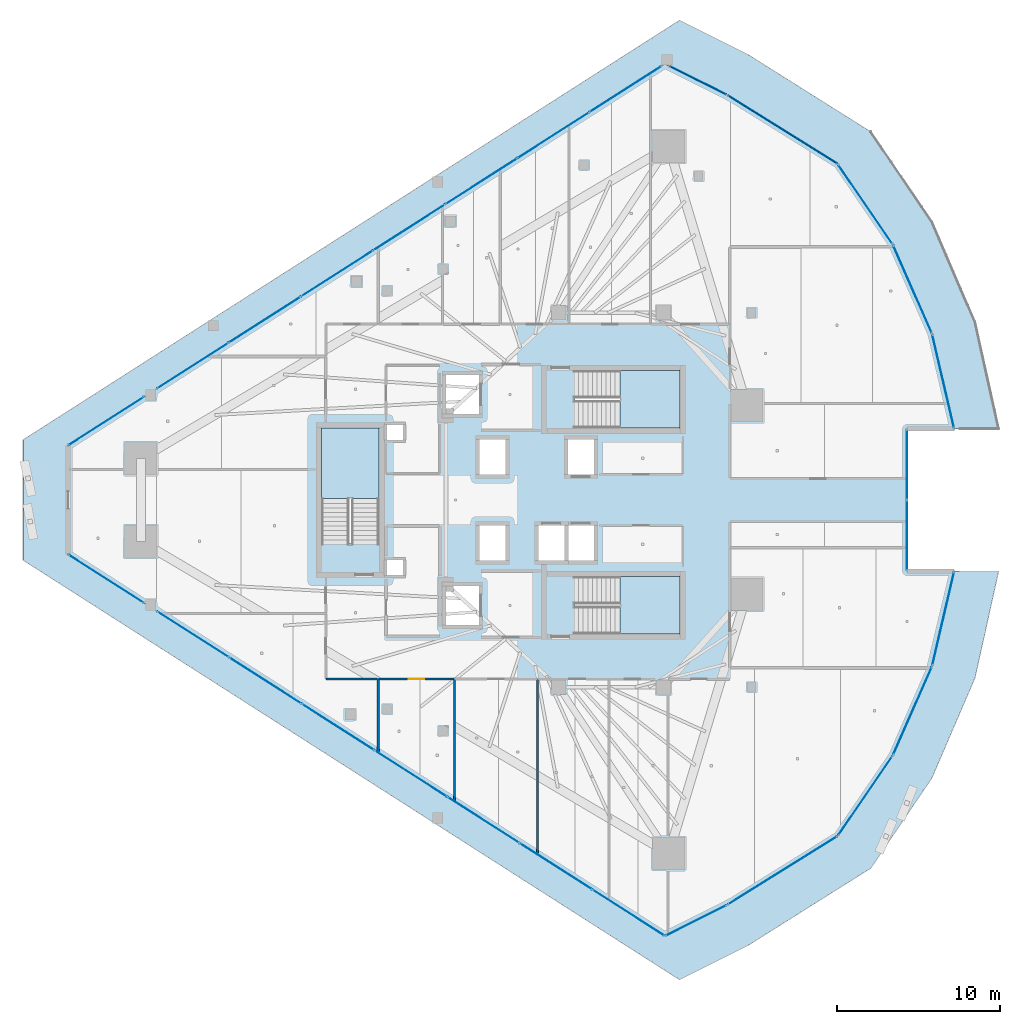
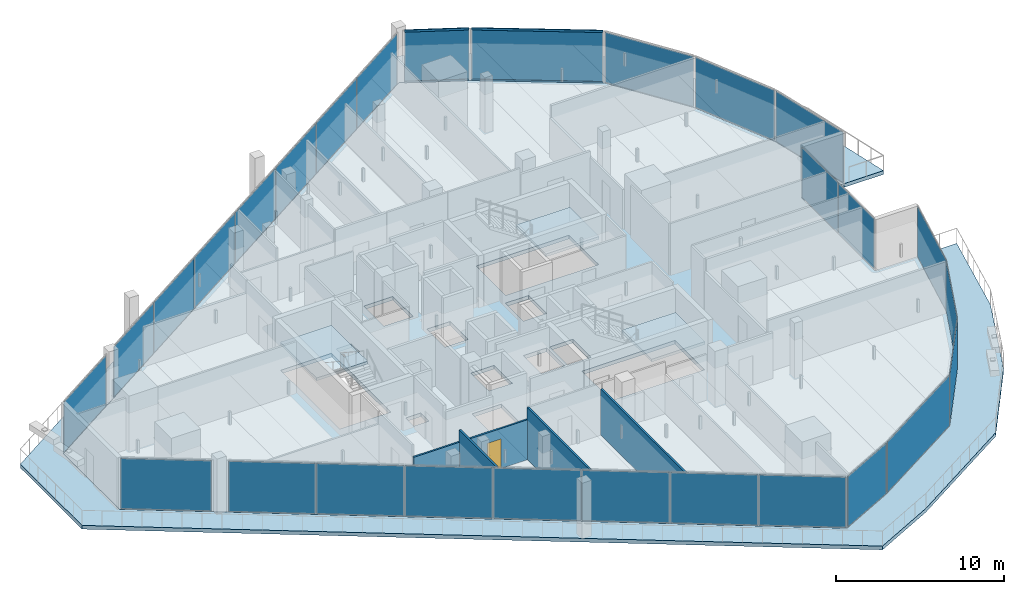
# One storey, part 21 of 33: 28 plates, 5 slabs, 5 walls, 4 members, 1 door, 1 opening, 18 elements without a shape of their own.
"""IFC4 building model written with IfcOpenShell, lengths in metres."""

import ifcopenshell
import ifcopenshell.guid

model = None  # the IFC model being written
_history = None  # IfcOwnerHistory: only IFC2X3 demands one
_inside = {}  # id of a spatial element -> (the spatial element, [elements in it])
_under = {}  # id of a project, library or spatial element -> (it, [spatial elements below it])
_declared = {}  # id of a project -> (the project, [libraries it declares])
_typed = {}  # id of a type object -> (the type object, [elements of that type])
_made_of = {}  # id of a material, layer set ... -> (it, [elements and type objects made of it])


def new_model(schema):
    """Start an empty IFC model of exactly this schema.

    Asked for "IFC4X3", IfcOpenShell would pick the latest addendum, in which some entities
    have other attributes; the version numbers below select the first issue.
    IFC2X3 requires an IfcOwnerHistory on every rooted entity: one is made here for all.
    """
    global model, _history
    if schema == "IFC4X3":
        model = ifcopenshell.file(schema_version=(4, 3, 0, 0))
    else:
        model = ifcopenshell.file(schema=schema)
    _inside.clear()
    _under.clear()
    _declared.clear()
    _typed.clear()
    _made_of.clear()
    _history = None
    if model.schema == "IFC2X3":
        org = make("IfcOrganization", Name="unknown")
        user = make(
            "IfcPersonAndOrganization",
            ThePerson=make("IfcPerson", FamilyName="unknown"),
            TheOrganization=org,
        )
        app = make(
            "IfcApplication",
            ApplicationDeveloper=org,
            Version="unknown",
            ApplicationFullName="unknown",
            ApplicationIdentifier="unknown",
        )
        _history = make(
            "IfcOwnerHistory",
            OwningUser=user,
            OwningApplication=app,
            ChangeAction="ADDED",
            CreationDate=0,
        )
    return model


def make(cls, **values):
    """One entity of the class cls with the attributes given. An attribute that is None is left unset."""
    return model.create_entity(
        cls, **{name: value for name, value in values.items() if value is not None}
    )


def rooted(cls, **values):
    """An entity with a GlobalId (a new one), such as an element, a storey or a relation."""
    return make(cls, GlobalId=ifcopenshell.guid.new(), OwnerHistory=_history, **values)


def si_unit(unit_type, name, prefix=None):
    """IfcSIUnit, for example si_unit("LENGTHUNIT", "METRE", prefix="MILLI")."""
    return make("IfcSIUnit", UnitType=unit_type, Prefix=prefix, Name=name)


def assignment(units):
    """IfcUnitAssignment: the units of a project."""
    return None if units is None else make("IfcUnitAssignment", Units=units)


def point(xyz):
    """IfcCartesianPoint."""
    return None if xyz is None else make("IfcCartesianPoint", Coordinates=xyz)


def direction(xyz):
    """IfcDirection."""
    return None if xyz is None else make("IfcDirection", DirectionRatios=xyz)


def frame(location, z_axis=None, x_axis=None):
    """IfcAxis2Placement3D, a coordinate frame: its origin and axes. An axis left out is left unset."""
    return make(
        "IfcAxis2Placement3D",
        Location=point(location),
        Axis=direction(z_axis),
        RefDirection=direction(x_axis),
    )


def frame_2d(location, x_axis=None):
    """IfcAxis2Placement2D, a coordinate frame in the plane: its origin and x axis."""
    return make(
        "IfcAxis2Placement2D", Location=point(location), RefDirection=direction(x_axis)
    )


def origin():
    """The frame at (0, 0, 0) with its axes left unset."""
    return frame((0.0, 0.0, 0.0))


def origin_2d():
    """The frame at (0, 0) in the plane with its x axis left unset."""
    return frame_2d((0.0, 0.0))


def place(relative_to, where):
    """IfcLocalPlacement: puts the frame where relative to a parent placement (None: the world)."""
    return make(
        "IfcLocalPlacement", PlacementRelTo=relative_to, RelativePlacement=where
    )


def context(
    kind, dimensions, precision=None, world=None, true_north=None, identifier=None
):
    """IfcGeometricRepresentationContext, for example the 3D "Model" context."""
    return make(
        "IfcGeometricRepresentationContext",
        ContextIdentifier=identifier,
        ContextType=kind,
        CoordinateSpaceDimension=dimensions,
        Precision=precision,
        WorldCoordinateSystem=world,
        TrueNorth=true_north,
    )


def subcontext(parent, identifier, kind, view, scale=None):
    """IfcGeometricRepresentationSubContext, for example "Body" below "Model"."""
    return make(
        "IfcGeometricRepresentationSubContext",
        ContextIdentifier=identifier,
        ContextType=kind,
        ParentContext=parent,
        TargetScale=scale,
        TargetView=view,
    )


def project(units=None, contexts=None):
    """IfcProject with its units and contexts."""
    return rooted(
        "IfcProject",
        Name="project",
        RepresentationContexts=contexts,
        UnitsInContext=assignment(units),
    )


def spatial(cls, under=None, at=None, **own):
    """A site, building, storey or space (cls), placed at a placement, below another one or the project."""
    s = rooted(cls, ObjectPlacement=at, **own)
    if under is not None:
        _under.setdefault(under.id(), (under, []))[1].append(s)
    return s


def polyline(points):
    """IfcPolyline through the points."""
    return make("IfcPolyline", Points=[point(p) for p in points])


def profile(cls, at=None, kind="AREA", **sizes):
    """A parametric profile (cls). Its sizes go by their IFC names, for example OverallWidth=200.0."""
    return make(cls, ProfileType=kind, Position=at, **sizes)


def rectangle(**sizes):
    """IfcRectangleProfileDef."""
    return profile("IfcRectangleProfileDef", **sizes)


def hollow_rectangle(**sizes):
    """IfcRectangleHollowProfileDef."""
    return profile("IfcRectangleHollowProfileDef", **sizes)


def outline(outer, holes=None, kind="AREA"):
    """IfcArbitraryClosedProfileDef: a profile drawn as a closed curve; with holes, ...WithVoids."""
    if holes is None:
        return make("IfcArbitraryClosedProfileDef", ProfileType=kind, OuterCurve=outer)
    return make(
        "IfcArbitraryProfileDefWithVoids",
        ProfileType=kind,
        OuterCurve=outer,
        InnerCurves=holes,
    )


def extrude(swept, where, along, depth):
    """IfcExtrudedAreaSolid: the profile swept, set in the frame where, extruded along a direction by depth."""
    return make(
        "IfcExtrudedAreaSolid",
        SweptArea=swept,
        Position=where,
        ExtrudedDirection=direction(along),
        Depth=depth,
    )


def shape(context_of_items, identifier, shape_type, items):
    """IfcShapeRepresentation: the items that make up one representation, for example the "Body"."""
    return make(
        "IfcShapeRepresentation",
        ContextOfItems=context_of_items,
        RepresentationIdentifier=identifier,
        RepresentationType=shape_type,
        Items=items,
    )


def material(Name=None, Category=None):
    """IfcMaterial."""
    return make("IfcMaterial", Name=Name, Category=Category)


def layer(
    of_material, thickness, ventilated=None, Name=None, Category=None, Priority=None
):
    """IfcMaterialLayer: one layer of a wall or slab, of a material (None: an air gap)."""
    return make(
        "IfcMaterialLayer",
        Material=of_material,
        LayerThickness=thickness,
        IsVentilated=ventilated,
        Name=Name,
        Category=Category,
        Priority=Priority,
    )


def layer_set(layers, Name=None):
    """IfcMaterialLayerSet."""
    return make("IfcMaterialLayerSet", MaterialLayers=layers, LayerSetName=Name)


def material_profile(
    of_material, cross_section, Name=None, Category=None, Priority=None
):
    """IfcMaterialProfile: a cross section and its material."""
    return make(
        "IfcMaterialProfile",
        Name=Name,
        Material=of_material,
        Profile=cross_section,
        Priority=Priority,
        Category=Category,
    )


def profile_set(profiles, Name=None, composite=None):
    """IfcMaterialProfileSet."""
    return make(
        "IfcMaterialProfileSet",
        Name=Name,
        MaterialProfiles=profiles,
        CompositeProfile=composite,
    )


def made_of(thing, what):
    """Note that an element or type object is made of a material, layer set ...; save() writes the relation."""
    if what is not None:
        _made_of.setdefault(what.id(), (what, []))[1].append(thing)
    return thing


def type_object(cls, material=None, **own):
    """A type object (cls), such as IfcWallType, which elements share."""
    return made_of(rooted(cls, **own), material)


def element(
    cls,
    number,
    at=None,
    inside=None,
    cuts=None,
    type_object=None,
    material=None,
    context=None,
    identifier="Body",
    shape_type=None,
    held_by="IfcProductDefinitionShape",
    body=None,
    shapes=None,
    **own,
):
    """One element of the class cls, such as IfcWall. Its Tag is "e" and its number.

    at: its placement. inside: the storey or other place that contains it. cuts: it is an
    opening in that element (IfcRelVoidsElement). A single representation is given by context,
    identifier, shape_type and body (its items); several are given by shapes. held_by: the class
    of the entity that holds the representations. save() writes the other relations.
    """
    e = rooted(cls, Tag="e%d" % number, ObjectPlacement=at, **own)
    if body is not None:
        shapes = [shape(context, identifier, shape_type, body)]
    if shapes is not None:
        e.Representation = make(held_by, Representations=shapes)
    if inside is not None:
        _inside.setdefault(inside.id(), (inside, []))[1].append(e)
    if cuts is not None:
        rooted(
            "IfcRelVoidsElement", RelatingBuildingElement=cuts, RelatedOpeningElement=e
        )
    if type_object is not None:
        _typed.setdefault(type_object.id(), (type_object, []))[1].append(e)
    return made_of(e, material)


def fill(opening, filler):
    """IfcRelFillsElement: the door or window that sits in an opening."""
    return rooted(
        "IfcRelFillsElement",
        RelatingOpeningElement=opening,
        RelatedBuildingElement=filler,
    )


def aggregate(whole, parts):
    """IfcRelAggregates: a whole, such as a stair, and the parts it consists of."""
    return rooted("IfcRelAggregates", RelatingObject=whole, RelatedObjects=parts)


def save(model, path):
    """Write the relations noted so far, then the file.

    IfcRelAggregates (storeys below a building ...), IfcRelContainedInSpatialStructure (elements
    in a storey), IfcRelDefinesByType, IfcRelAssociatesMaterial and IfcRelDeclares: one each for
    every whole, place, type object, material and project.
    """
    for whole, parts in _under.values():
        aggregate(whole, parts)
    for where, things in _inside.values():
        rooted(
            "IfcRelContainedInSpatialStructure",
            RelatedElements=things,
            RelatingStructure=where,
        )
    for kind, things in _typed.values():
        rooted("IfcRelDefinesByType", RelatedObjects=things, RelatingType=kind)
    for what, things in _made_of.values():
        rooted("IfcRelAssociatesMaterial", RelatedObjects=things, RelatingMaterial=what)
    for by, libraries in _declared.values():
        rooted("IfcRelDeclares", RelatingContext=by, RelatedDefinitions=libraries)
    model.write(path)


model = new_model("IFC4")

# Units and contexts
model_context = context("Model", 3, precision=1e-05, world=origin(), true_north=direction((0.0, 1.0)))
body_context = subcontext(model_context, "Body", "Model", "MODEL_VIEW")
ifc_project = project(units=[si_unit("LENGTHUNIT", "METRE"), si_unit("AREAUNIT", "SQUARE_METRE"), si_unit("VOLUMEUNIT", "CUBIC_METRE"), si_unit("PLANEANGLEUNIT", "RADIAN"), si_unit("MASSUNIT", "GRAM", prefix="KILO")], contexts=[model_context])

# Site, building, storey
site_placement = place(None, origin())
site = spatial("IfcSite", under=ifc_project, at=site_placement, CompositionType="ELEMENT")
building_placement = place(site_placement, origin())
building = spatial("IfcBuilding", under=site, at=building_placement, Name="Qorvath Tower", CompositionType="ELEMENT")
storey_placement = place(building_placement, frame((0.0, 0.0, 209.10009765625)))
storey = spatial("IfcBuildingStorey", under=building, at=storey_placement, Name="L48", CompositionType="ELEMENT", Elevation=209.10009765625)

# Curtain wall, members
ifc_material_1 = material(Name="Anodised aluminium and triple low-E glass", Category="aluminium")
ifc_layer_1 = layer(ifc_material_1, 0.179931640625)
ifc_layer_set_1 = layer_set([ifc_layer_1], Name="CW-SYS-3")
curtain_wall_type = type_object("IfcCurtainWallType", Name="CW-SYS-3", PredefinedType="NOTDEFINED", material=ifc_layer_set_1)
curtain_wall_1_placement = place(storey_placement, origin())
curtain_wall_1 = element("IfcCurtainWall", 1, at=curtain_wall_1_placement, inside=storey, type_object=curtain_wall_type, Name="Curtain Wall CW-3 CW-T-L48-14.1", PredefinedType="NOTDEFINED")
ifc_material_2 = material(Name="Anodised aluminium 6063-T6", Category="aluminium")
ifc_material_profile = material_profile(ifc_material_2, hollow_rectangle(XDim=0.06494140625, YDim=0.159912109375, WallThickness=0.00341796875, InnerFilletRadius=0.00341796875, OuterFilletRadius=0.007080078125, at=origin_2d()), Name="CWT 160x65")
ifc_profile_set = profile_set([ifc_material_profile], Name="Anodised aluminium 6063-T6")
member_type = type_object("IfcMemberType", Name="CWT-160", PredefinedType="USERDEFINED", material=ifc_profile_set)
member_1_placement = place(storey_placement, frame((-6.585205078125, 20.5908203125, 0.032470703125), z_axis=(-0.848574953144, 0.52907518265, 0.0), x_axis=(-0.52907518265, -0.848574953144, 0.0)))
member_1 = element("IfcMember", 2, at=member_1_placement, type_object=member_type, Name="CW-3 transom 1.1", ObjectType="TRANSOM", PredefinedType="USERDEFINED", context=body_context, shape_type="SweptSolid", body=[
    extrude(hollow_rectangle(XDim=0.06494140625, YDim=0.159912109375, WallThickness=0.00341796875, InnerFilletRadius=0.00341796875, OuterFilletRadius=0.007080078125, at=origin_2d()), origin(), (0.0, 0.0, 1.0), 7.84228515625),
])
member_2_placement = place(storey_placement, frame((-6.585205078125, 20.5908203125, 3.747314453125), z_axis=(-0.848574953144, 0.52907518265, 0.0), x_axis=(-0.52907518265, -0.848574953144, 0.0)))
member_2 = element("IfcMember", 3, at=member_2_placement, type_object=member_type, Name="CW-3 transom 1.2", ObjectType="TRANSOM", PredefinedType="USERDEFINED", context=body_context, shape_type="SweptSolid", body=[
    extrude(hollow_rectangle(XDim=0.06494140625, YDim=0.159912109375, WallThickness=0.00341796875, InnerFilletRadius=0.00341796875, OuterFilletRadius=0.007080078125, at=origin_2d()), origin(), (0.0, 0.0, 1.0), 7.84228515625),
])

curtain_wall_2_placement = place(storey_placement, origin())
curtain_wall_2 = element("IfcCurtainWall", 4, at=curtain_wall_2_placement, inside=storey, type_object=curtain_wall_type, Name="Curtain Wall CW-3 CW-T-L48-15.1", PredefinedType="NOTDEFINED")
member_3_placement = place(storey_placement, frame((-13.353271484375, 24.803466796875, 0.032470703125), z_axis=(-0.894465123675, 0.447137722106, 0.0), x_axis=(-0.447137722106, -0.894465123675, 0.0)))
member_3 = element("IfcMember", 5, at=member_3_placement, type_object=member_type, Name="CW-3 transom 1.1", ObjectType="TRANSOM", PredefinedType="USERDEFINED", context=body_context, shape_type="SweptSolid", body=[
    extrude(hollow_rectangle(XDim=0.06494140625, YDim=0.159912109375, WallThickness=0.00341796875, InnerFilletRadius=0.00341796875, OuterFilletRadius=0.007080078125, at=origin_2d()), origin(), (0.0, 0.0, 1.0), 3.861328125),
])
member_4_placement = place(storey_placement, frame((-13.353271484375, 24.803466796875, 3.747314453125), z_axis=(-0.894465123675, 0.447137722106, 0.0), x_axis=(-0.447137722106, -0.894465123675, 0.0)))
member_4 = element("IfcMember", 6, at=member_4_placement, type_object=member_type, Name="CW-3 transom 1.2", ObjectType="TRANSOM", PredefinedType="USERDEFINED", context=body_context, shape_type="SweptSolid", body=[
    extrude(hollow_rectangle(XDim=0.06494140625, YDim=0.159912109375, WallThickness=0.00341796875, InnerFilletRadius=0.00341796875, OuterFilletRadius=0.007080078125, at=origin_2d()), origin(), (0.0, 0.0, 1.0), 3.861328125),
])

# Curtain wall, plate
curtain_wall_3_placement = place(storey_placement, origin())
curtain_wall_3 = element("IfcCurtainWall", 7, at=curtain_wall_3_placement, inside=storey, type_object=curtain_wall_type, Name="Curtain Wall CW-3 CW-T-L48-2.1", PredefinedType="NOTDEFINED")
ifc_material_3 = material(Name="Low-E triple insulated glass", Category="glass")
ifc_layer_2 = layer(ifc_material_3, 0.031982421875)
ifc_layer_set_2 = layer_set([ifc_layer_2], Name="CWP-GLZ-32")
plate_type = type_object("IfcPlateType", Name="CWP-GLZ-32", PredefinedType="CURTAIN_PANEL", material=ifc_layer_set_2)
plate_1_placement = place(storey_placement, frame((-51.290771484375, -4.83203125, 0.06494140625), z_axis=(0.0, 0.0, 1.0), x_axis=(0.842602168326, -0.538536522375, 0.0)))
plate_1 = element("IfcPlate", 8, at=plate_1_placement, type_object=plate_type, Name="CW-3 panel 1.1", PredefinedType="CURTAIN_PANEL", context=body_context, shape_type="SweptSolid", body=[
    extrude(rectangle(XDim=5.429443359375, YDim=0.031982421875, at=origin_2d()), origin(), (0.0, 0.0, 1.0), 3.64990234375),
])
aggregate(curtain_wall_3, [plate_1])

# Curtain wall, plates
curtain_wall_4_placement = place(storey_placement, origin())
curtain_wall_4 = element("IfcCurtainWall", 9, at=curtain_wall_4_placement, inside=storey, type_object=curtain_wall_type, Name="Curtain Wall CW-3 CW-T-L48-2.2", PredefinedType="NOTDEFINED")
plate_2_placement = place(storey_placement, frame((-45.983642578125, -8.223876953125, 0.06494140625), z_axis=(0.0, 0.0, 1.0), x_axis=(0.842604708723, -0.538532547612, 0.0)))
plate_2 = element("IfcPlate", 10, at=plate_2_placement, type_object=plate_type, Name="CW-3 panel 1.1", PredefinedType="CURTAIN_PANEL", context=body_context, shape_type="SweptSolid", body=[
    extrude(rectangle(XDim=5.177490234375, YDim=0.031982421875, at=origin_2d()), origin(), (0.0, 0.0, 1.0), 3.64990234375),
])
plate_3_placement = place(storey_placement, frame((-41.552734375, -11.055908203125, 0.06494140625), z_axis=(0.0, 0.0, 1.0), x_axis=(0.842604708723, -0.538532547612, 0.0)))
plate_3 = element("IfcPlate", 11, at=plate_3_placement, type_object=plate_type, Name="CW-3 panel 2.1", PredefinedType="CURTAIN_PANEL", context=body_context, shape_type="SweptSolid", body=[
    extrude(rectangle(XDim=5.2099609375, YDim=0.031982421875, at=origin_2d()), origin(), (0.0, 0.0, 1.0), 3.64990234375),
])
plate_4_placement = place(storey_placement, frame((-37.10791015625, -13.896484375, 0.06494140625), z_axis=(0.0, 0.0, 1.0), x_axis=(0.842604708723, -0.538532547612, 0.0)))
plate_4 = element("IfcPlate", 12, at=plate_4_placement, type_object=plate_type, Name="CW-3 panel 3.1", PredefinedType="CURTAIN_PANEL", context=body_context, shape_type="SweptSolid", body=[
    extrude(rectangle(XDim=5.2099609375, YDim=0.031982421875, at=origin_2d()), origin(), (0.0, 0.0, 1.0), 3.64990234375),
])
plate_5_placement = place(storey_placement, frame((-32.6630859375, -16.7373046875, 0.06494140625), z_axis=(0.0, 0.0, 1.0), x_axis=(0.842604708723, -0.538532547612, 0.0)))
plate_5 = element("IfcPlate", 13, at=plate_5_placement, type_object=plate_type, Name="CW-3 panel 4.1", PredefinedType="CURTAIN_PANEL", context=body_context, shape_type="SweptSolid", body=[
    extrude(rectangle(XDim=5.2099609375, YDim=0.031982421875, at=origin_2d()), origin(), (0.0, 0.0, 1.0), 3.64990234375),
])
plate_6_placement = place(storey_placement, frame((-28.218505859375, -19.578125, 0.06494140625), z_axis=(0.0, 0.0, 1.0), x_axis=(0.842604708723, -0.538532547612, 0.0)))
plate_6 = element("IfcPlate", 14, at=plate_6_placement, type_object=plate_type, Name="CW-3 panel 5.1", PredefinedType="CURTAIN_PANEL", context=body_context, shape_type="SweptSolid", body=[
    extrude(rectangle(XDim=5.2099609375, YDim=0.031982421875, at=origin_2d()), origin(), (0.0, 0.0, 1.0), 3.64990234375),
])
plate_7_placement = place(storey_placement, frame((-23.773681640625, -22.418701171875, 0.06494140625), z_axis=(0.0, 0.0, 1.0), x_axis=(0.842604708723, -0.538532547612, 0.0)))
plate_7 = element("IfcPlate", 15, at=plate_7_placement, type_object=plate_type, Name="CW-3 panel 6.1", PredefinedType="CURTAIN_PANEL", context=body_context, shape_type="SweptSolid", body=[
    extrude(rectangle(XDim=5.2099609375, YDim=0.031982421875, at=origin_2d()), origin(), (0.0, 0.0, 1.0), 3.64990234375),
])
plate_8_placement = place(storey_placement, frame((-19.3427734375, -25.250732421875, 0.06494140625), z_axis=(0.0, 0.0, 1.0), x_axis=(0.842604708723, -0.538532547612, 0.0)))
plate_8 = element("IfcPlate", 16, at=plate_8_placement, type_object=plate_type, Name="CW-3 panel 7.1", PredefinedType="CURTAIN_PANEL", context=body_context, shape_type="SweptSolid", body=[
    extrude(rectangle(XDim=5.177490234375, YDim=0.031982421875, at=origin_2d()), origin(), (0.0, 0.0, 1.0), 3.64990234375),
])
aggregate(curtain_wall_4, [plate_2, plate_3, plate_4, plate_5, plate_6, plate_7, plate_8])

# Curtain wall, plate
curtain_wall_5_placement = place(storey_placement, origin())
curtain_wall_5 = element("IfcCurtainWall", 17, at=curtain_wall_5_placement, inside=storey, type_object=curtain_wall_type, Name="Curtain Wall CW-3 CW-T-L48-3.1", PredefinedType="NOTDEFINED")
plate_9_placement = place(storey_placement, frame((-15.200927734375, -25.72705078125, 0.06494140625), z_axis=(0.0, 0.0, 1.0), x_axis=(0.894450656928, 0.447166660566, 0.0)))
plate_9 = element("IfcPlate", 18, at=plate_9_placement, type_object=plate_type, Name="CW-3 panel 1.1", PredefinedType="CURTAIN_PANEL", context=body_context, shape_type="SweptSolid", body=[
    extrude(rectangle(XDim=4.13134765625, YDim=0.031982421875, at=origin_2d()), origin(), (0.0, 0.0, 1.0), 3.64990234375),
])
aggregate(curtain_wall_5, [plate_9])

curtain_wall_6_placement = place(storey_placement, origin())
curtain_wall_6 = element("IfcCurtainWall", 19, at=curtain_wall_6_placement, inside=storey, type_object=curtain_wall_type, Name="Curtain Wall CW-3 CW-T-L48-4.1", PredefinedType="NOTDEFINED")
plate_10_placement = place(storey_placement, frame((-9.91259765625, -22.665283203125, 0.06494140625), z_axis=(0.0, 0.0, 1.0), x_axis=(0.848575634912, 0.529074089173, 0.0)))
plate_10 = element("IfcPlate", 20, at=plate_10_placement, type_object=plate_type, Name="CW-3 panel 1.1", PredefinedType="CURTAIN_PANEL", context=body_context, shape_type="SweptSolid", body=[
    extrude(rectangle(XDim=7.842529296875, YDim=0.031982421875, at=origin_2d()), origin(), (0.0, 0.0, 1.0), 3.64990234375),
])
aggregate(curtain_wall_6, [plate_10])

curtain_wall_7_placement = place(storey_placement, origin())
curtain_wall_7 = element("IfcCurtainWall", 21, at=curtain_wall_7_placement, inside=storey, type_object=curtain_wall_type, Name="Curtain Wall CW-3 CW-T-L48-5.1", PredefinedType="NOTDEFINED")
plate_11_placement = place(storey_placement, frame((-4.84521484375, -18.093994140625, 0.06494140625), z_axis=(0.0, 0.0, 1.0), x_axis=(0.564661085871, 0.825322881122, 0.0)))
plate_11 = element("IfcPlate", 22, at=plate_11_placement, type_object=plate_type, Name="CW-3 panel 1.1", PredefinedType="CURTAIN_PANEL", context=body_context, shape_type="SweptSolid", body=[
    extrude(rectangle(XDim=5.837158203125, YDim=0.031982421875, at=origin_2d()), origin(), (0.0, 0.0, 1.0), 3.64990234375),
])
aggregate(curtain_wall_7, [plate_11])

curtain_wall_8_placement = place(storey_placement, origin())
curtain_wall_8 = element("IfcCurtainWall", 23, at=curtain_wall_8_placement, inside=storey, type_object=curtain_wall_type, Name="Curtain Wall CW-3 CW-T-L48-6.1", PredefinedType="NOTDEFINED")
plate_12_placement = place(storey_placement, frame((-1.95947265625, -12.900390625, 0.06494140625), z_axis=(0.0, 0.0, 1.0), x_axis=(0.40258865877, 0.91538099818, 0.0)))
plate_12 = element("IfcPlate", 24, at=plate_12_placement, type_object=plate_type, Name="CW-3 panel 1.1", PredefinedType="CURTAIN_PANEL", context=body_context, shape_type="SweptSolid", body=[
    extrude(rectangle(XDim=5.837158203125, YDim=0.031982421875, at=origin_2d()), origin(), (0.0, 0.0, 1.0), 3.64990234375),
])
aggregate(curtain_wall_8, [plate_12])

curtain_wall_9_placement = place(storey_placement, origin())
curtain_wall_9 = element("IfcCurtainWall", 25, at=curtain_wall_9_placement, inside=storey, type_object=curtain_wall_type, Name="Curtain Wall CW-3 CW-T-L48-7.1", PredefinedType="NOTDEFINED")
plate_13_placement = place(storey_placement, frame((-0.08203125, -7.263671875, 0.06494140625), z_axis=(0.0, 0.0, 1.0), x_axis=(0.226670637786, 0.973971468764, 0.0)))
plate_13 = element("IfcPlate", 26, at=plate_13_placement, type_object=plate_type, Name="CW-3 panel 1.1", PredefinedType="CURTAIN_PANEL", context=body_context, shape_type="SweptSolid", body=[
    extrude(rectangle(XDim=5.8369140625, YDim=0.031982421875, at=origin_2d()), origin(), (0.0, 0.0, 1.0), 3.64990234375),
])
aggregate(curtain_wall_9, [plate_13])

# Curtain wall, plates
curtain_wall_10_placement = place(storey_placement, origin())
curtain_wall_10 = element("IfcCurtainWall", 27, at=curtain_wall_10_placement, inside=storey, type_object=curtain_wall_type, Name="Curtain Wall CW-3 CW-T-L48-9.1", PredefinedType="NOTDEFINED")
plate_14_placement = place(storey_placement, frame((-2.310791015625, -2.16259765625, 0.06494140625), z_axis=(0.0, 0.0, 1.0), x_axis=(0.0, 1.0, 0.0)))
plate_14 = element("IfcPlate", 28, at=plate_14_placement, type_object=plate_type, Name="CW-3 panel 1.1", PredefinedType="CURTAIN_PANEL", context=body_context, shape_type="SweptSolid", body=[
    extrude(rectangle(XDim=4.260498046875, YDim=0.031982421875, at=origin_2d()), origin(), (0.0, 0.0, 1.0), 3.64990234375),
])
plate_15_placement = place(storey_placement, frame((-2.310791015625, 2.16259765625, 0.06494140625), z_axis=(0.0, 0.0, 1.0), x_axis=(0.0, 1.0, 0.0)))
plate_15 = element("IfcPlate", 29, at=plate_15_placement, type_object=plate_type, Name="CW-3 panel 2.1", PredefinedType="CURTAIN_PANEL", context=body_context, shape_type="SweptSolid", body=[
    extrude(rectangle(XDim=4.260498046875, YDim=0.031982421875, at=origin_2d()), origin(), (0.0, 0.0, 1.0), 3.64990234375),
])
aggregate(curtain_wall_10, [plate_14, plate_15])

# Curtain wall, plate
curtain_wall_11_placement = place(storey_placement, origin())
curtain_wall_11 = element("IfcCurtainWall", 30, at=curtain_wall_11_placement, inside=storey, type_object=curtain_wall_type, Name="Curtain Wall CW-3 CW-T-L48-11.1", PredefinedType="NOTDEFINED")
plate_16_placement = place(storey_placement, frame((-0.08203125, 7.263671875, 0.06494140625), z_axis=(0.0, 0.0, 1.0), x_axis=(-0.226670637786, 0.973971468764, 0.0)))
plate_16 = element("IfcPlate", 31, at=plate_16_placement, type_object=plate_type, Name="CW-3 panel 1.1", PredefinedType="CURTAIN_PANEL", context=body_context, shape_type="SweptSolid", body=[
    extrude(rectangle(XDim=5.8369140625, YDim=0.031982421875, at=origin_2d()), origin(), (0.0, 0.0, 1.0), 3.64990234375),
])
aggregate(curtain_wall_11, [plate_16])

curtain_wall_12_placement = place(storey_placement, origin())
curtain_wall_12 = element("IfcCurtainWall", 32, at=curtain_wall_12_placement, inside=storey, type_object=curtain_wall_type, Name="Curtain Wall CW-3 CW-T-L48-12.1", PredefinedType="NOTDEFINED")
plate_17_placement = place(storey_placement, frame((-1.95947265625, 12.900390625, 0.06494140625), z_axis=(0.0, 0.0, 1.0), x_axis=(-0.40258865877, 0.91538099818, 0.0)))
plate_17 = element("IfcPlate", 33, at=plate_17_placement, type_object=plate_type, Name="CW-3 panel 1.1", PredefinedType="CURTAIN_PANEL", context=body_context, shape_type="SweptSolid", body=[
    extrude(rectangle(XDim=5.837158203125, YDim=0.031982421875, at=origin_2d()), origin(), (0.0, 0.0, 1.0), 3.64990234375),
])
aggregate(curtain_wall_12, [plate_17])

curtain_wall_13_placement = place(storey_placement, origin())
curtain_wall_13 = element("IfcCurtainWall", 34, at=curtain_wall_13_placement, inside=storey, type_object=curtain_wall_type, Name="Curtain Wall CW-3 CW-T-L48-13.1", PredefinedType="NOTDEFINED")
plate_18_placement = place(storey_placement, frame((-4.84521484375, 18.093994140625, 0.06494140625), z_axis=(0.0, 0.0, 1.0), x_axis=(-0.564661085871, 0.825322881122, 0.0)))
plate_18 = element("IfcPlate", 35, at=plate_18_placement, type_object=plate_type, Name="CW-3 panel 1.1", PredefinedType="CURTAIN_PANEL", context=body_context, shape_type="SweptSolid", body=[
    extrude(rectangle(XDim=5.837158203125, YDim=0.031982421875, at=origin_2d()), origin(), (0.0, 0.0, 1.0), 3.64990234375),
])
aggregate(curtain_wall_13, [plate_18])

# Plate
plate_19_placement = place(storey_placement, frame((-9.91259765625, 22.665283203125, 0.06494140625), z_axis=(0.0, 0.0, 1.0), x_axis=(-0.848575634912, 0.529074089173, 0.0)))
plate_19 = element("IfcPlate", 36, at=plate_19_placement, type_object=plate_type, Name="CW-3 panel 1.1", PredefinedType="CURTAIN_PANEL", context=body_context, shape_type="SweptSolid", body=[
    extrude(rectangle(XDim=7.842529296875, YDim=0.031982421875, at=origin_2d()), origin(), (0.0, 0.0, 1.0), 3.64990234375),
])

aggregate(curtain_wall_1, [member_1, member_2, plate_19])

plate_20_placement = place(storey_placement, frame((-15.080078125, 25.666748046875, 0.06494140625), z_axis=(0.0, 0.0, 1.0), x_axis=(-0.894457254773, 0.447153462901, 0.0)))
plate_20 = element("IfcPlate", 37, at=plate_20_placement, type_object=plate_type, Name="CW-3 panel 1.1", PredefinedType="CURTAIN_PANEL", context=body_context, shape_type="SweptSolid", body=[
    extrude(rectangle(XDim=3.861328125, YDim=0.031982421875, at=origin_2d()), origin(), (0.0, 0.0, 1.0), 3.64990234375),
])

aggregate(curtain_wall_2, [member_3, member_4, plate_20])

# Curtain wall, plates
curtain_wall_14_placement = place(storey_placement, origin())
curtain_wall_14 = element("IfcCurtainWall", 38, at=curtain_wall_14_placement, inside=storey, type_object=curtain_wall_type, Name="Curtain Wall CW-3 CW-T-L48-16.1", PredefinedType="NOTDEFINED")
plate_21_placement = place(storey_placement, frame((-19.518310546875, 25.138671875, 0.06494140625), z_axis=(0.0, 0.0, 1.0), x_axis=(-0.842604767374, -0.538532455845, 0.0)))
plate_21 = element("IfcPlate", 39, at=plate_21_placement, type_object=plate_type, Name="CW-3 panel 1.1", PredefinedType="CURTAIN_PANEL", context=body_context, shape_type="SweptSolid", body=[
    extrude(rectangle(XDim=5.1455078125, YDim=0.031982421875, at=origin_2d()), origin(), (0.0, 0.0, 1.0), 3.64990234375),
])
plate_22_placement = place(storey_placement, frame((-23.92236328125, 22.323974609375, 0.06494140625), z_axis=(0.0, 0.0, 1.0), x_axis=(-0.842604767374, -0.538532455845, 0.0)))
plate_22 = element("IfcPlate", 40, at=plate_22_placement, type_object=plate_type, Name="CW-3 panel 2.1", PredefinedType="CURTAIN_PANEL", context=body_context, shape_type="SweptSolid", body=[
    extrude(rectangle(XDim=5.177978515625, YDim=0.031982421875, at=origin_2d()), origin(), (0.0, 0.0, 1.0), 3.64990234375),
])
plate_23_placement = place(storey_placement, frame((-28.340087890625, 19.50048828125, 0.06494140625), z_axis=(0.0, 0.0, 1.0), x_axis=(-0.842604767374, -0.538532455845, 0.0)))
plate_23 = element("IfcPlate", 41, at=plate_23_placement, type_object=plate_type, Name="CW-3 panel 3.1", PredefinedType="CURTAIN_PANEL", context=body_context, shape_type="SweptSolid", body=[
    extrude(rectangle(XDim=5.177978515625, YDim=0.031982421875, at=origin_2d()), origin(), (0.0, 0.0, 1.0), 3.64990234375),
])
plate_24_placement = place(storey_placement, frame((-32.7578125, 16.677001953125, 0.06494140625), z_axis=(0.0, 0.0, 1.0), x_axis=(-0.842604767374, -0.538532455845, 0.0)))
plate_24 = element("IfcPlate", 42, at=plate_24_placement, type_object=plate_type, Name="CW-3 panel 4.1", PredefinedType="CURTAIN_PANEL", context=body_context, shape_type="SweptSolid", body=[
    extrude(rectangle(XDim=5.177978515625, YDim=0.031982421875, at=origin_2d()), origin(), (0.0, 0.0, 1.0), 3.64990234375),
])
plate_25_placement = place(storey_placement, frame((-37.17529296875, 13.853515625, 0.06494140625), z_axis=(0.0, 0.0, 1.0), x_axis=(-0.842604767374, -0.538532455845, 0.0)))
plate_25 = element("IfcPlate", 43, at=plate_25_placement, type_object=plate_type, Name="CW-3 panel 5.1", PredefinedType="CURTAIN_PANEL", context=body_context, shape_type="SweptSolid", body=[
    extrude(rectangle(XDim=5.177978515625, YDim=0.031982421875, at=origin_2d()), origin(), (0.0, 0.0, 1.0), 3.64990234375),
])
plate_26_placement = place(storey_placement, frame((-41.593017578125, 11.030029296875, 0.06494140625), z_axis=(0.0, 0.0, 1.0), x_axis=(-0.842604767374, -0.538532455845, 0.0)))
plate_26 = element("IfcPlate", 44, at=plate_26_placement, type_object=plate_type, Name="CW-3 panel 6.1", PredefinedType="CURTAIN_PANEL", context=body_context, shape_type="SweptSolid", body=[
    extrude(rectangle(XDim=5.177978515625, YDim=0.031982421875, at=origin_2d()), origin(), (0.0, 0.0, 1.0), 3.64990234375),
])
plate_27_placement = place(storey_placement, frame((-45.9970703125, 8.215087890625, 0.06494140625), z_axis=(0.0, 0.0, 1.0), x_axis=(-0.842604767374, -0.538532455845, 0.0)))
plate_27 = element("IfcPlate", 45, at=plate_27_placement, type_object=plate_type, Name="CW-3 panel 7.1", PredefinedType="CURTAIN_PANEL", context=body_context, shape_type="SweptSolid", body=[
    extrude(rectangle(XDim=5.1455078125, YDim=0.031982421875, at=origin_2d()), origin(), (0.0, 0.0, 1.0), 3.64990234375),
])
aggregate(curtain_wall_14, [plate_21, plate_22, plate_23, plate_24, plate_25, plate_26, plate_27])

# Curtain wall, plate
curtain_wall_15_placement = place(storey_placement, origin())
curtain_wall_15 = element("IfcCurtainWall", 46, at=curtain_wall_15_placement, inside=storey, type_object=curtain_wall_type, Name="Curtain Wall CW-3 CW-T-L48-16.2", PredefinedType="NOTDEFINED")
plate_28_placement = place(storey_placement, frame((-51.290771484375, 4.83203125, 0.06494140625), z_axis=(0.0, 0.0, 1.0), x_axis=(-0.842602168326, -0.538536522375, 0.0)))
plate_28 = element("IfcPlate", 47, at=plate_28_placement, type_object=plate_type, Name="CW-3 panel 1.1", PredefinedType="CURTAIN_PANEL", context=body_context, shape_type="SweptSolid", body=[
    extrude(rectangle(XDim=5.429443359375, YDim=0.031982421875, at=origin_2d()), origin(), (0.0, 0.0, 1.0), 3.64990234375),
])
aggregate(curtain_wall_15, [plate_28])

# Stair, slab
ifc_material_4 = material(Name="Concrete C50/60", Category="concrete")
stair_type = type_object("IfcStairType", Name="ST-H405", PredefinedType="HALF_TURN_STAIR", material=ifc_material_4)
stair_1_placement = place(storey_placement, origin())
stair_1 = element("IfcStair", 48, at=stair_1_placement, inside=storey, type_object=stair_type, Name="L48 Tower Exit Stair 1", PredefinedType="HALF_TURN_STAIR")
ifc_material_5 = material(Name="Concrete C50/60", Category="concrete")
ifc_layer_3 = layer(ifc_material_5, 0.199951171875)
ifc_layer_set_3 = layer_set([ifc_layer_3], Name="SL-LND-200")
slab_type_1 = type_object("IfcSlabType", Name="SL-LND-200", PredefinedType="LANDING", material=ifc_layer_set_3)
slab_1_placement = place(storey_placement, frame((0.0, 0.0, 1.824951171875)))
slab_1 = element("IfcSlab", 49, at=slab_1_placement, type_object=slab_type_1, Name="TS1 landing 1", PredefinedType="LANDING", context=body_context, shape_type="SweptSolid", body=[
    extrude(outline(polyline([(-19.8701171875, 4.39990234375), (-16.199951171875, 4.39990234375), (-16.199951171875, 7.909912109375), (-19.8701171875, 7.909912109375), (-19.8701171875, 4.39990234375)])), origin(), (0.0, 0.0, 1.0), 0.199951171875),
])
aggregate(stair_1, [slab_1])

stair_2_placement = place(storey_placement, origin())
stair_2 = element("IfcStair", 50, at=stair_2_placement, inside=storey, type_object=stair_type, Name="L48 Tower Exit Stair 2", PredefinedType="HALF_TURN_STAIR")
slab_2_placement = place(storey_placement, frame((0.0, 0.0, 1.824951171875)))
slab_2 = element("IfcSlab", 51, at=slab_2_placement, type_object=slab_type_1, Name="TS2 landing 1", PredefinedType="LANDING", context=body_context, shape_type="SweptSolid", body=[
    extrude(outline(polyline([(-19.8701171875, -8.199951171875), (-16.199951171875, -8.199951171875), (-16.199951171875, -4.68994140625), (-19.8701171875, -4.68994140625), (-19.8701171875, -8.199951171875)])), origin(), (0.0, 0.0, 1.0), 0.199951171875),
])
aggregate(stair_2, [slab_2])

stair_3_placement = place(storey_placement, origin())
stair_3 = element("IfcStair", 52, at=stair_3_placement, inside=storey, type_object=stair_type, Name="L48 Tower Exit Stair 3", PredefinedType="HALF_TURN_STAIR")
slab_3_placement = place(storey_placement, frame((0.0, 0.0, 1.824951171875)))
slab_3 = element("IfcSlab", 53, at=slab_3_placement, type_object=slab_type_1, Name="TS3 landing 1", PredefinedType="LANDING", context=body_context, shape_type="SweptSolid", body=[
    extrude(outline(polyline([(-34.60009765625, 0.080078125), (-34.60009765625, 4.39990234375), (-38.110107421875, 4.39990234375), (-38.110107421875, 0.080078125), (-34.60009765625, 0.080078125)])), origin(), (0.0, 0.0, 1.0), 0.199951171875),
])
aggregate(stair_3, [slab_3])

# Slabs
ifc_material_6 = material(Name="Precast concrete C45/55", Category="concrete")
ifc_layer_4 = layer(ifc_material_6, 0.27001953125)
ifc_layer_set_4 = layer_set([ifc_layer_4], Name="SL-LOG-270")
slab_type_2 = type_object("IfcSlabType", Name="SL-LOG-270", PredefinedType="FLOOR", material=ifc_layer_set_4)
slab_4_placement = place(storey_placement, frame((0.0, 0.0, -0.27001953125)))
element("IfcSlab", 54, at=slab_4_placement, inside=storey, type_object=slab_type_2, Name="Tower L48 Perimeter Loggia and Terrace Slab", PredefinedType="FLOOR", context=body_context, shape_type="SweptSolid", body=[
    extrude(outline(polyline([(-12.024658203125, 27.251953125), (-16.21728515625, 29.34814453125), (-56.396484375, 3.66845703125), (-56.396484375, -3.66845703125), (-16.21728515625, -29.34814453125), (-12.024658203125, -27.251953125), (-4.5126953125, -22.52734375), (-0.770263671875, -17.00244140625), (1.868896484375, -10.873291015625), (3.310791015625, -4.35791015625), (0.59423828125, -4.35791015625), (-0.75830078125, -10.16943359375), (-3.16064453125, -15.631591796875), (-6.530029296875, -20.556396484375), (-13.295166015625, -24.7744140625), (-17.106689453125, -26.679931640625), (-53.6328125, -3.3349609375), (-53.6328125, 3.3349609375), (-17.106689453125, 26.679931640625), (-13.295166015625, 24.7744140625), (-6.530029296875, 20.556396484375), (-3.16064453125, 15.631591796875), (-0.75830078125, 10.16943359375), (0.59423828125, 4.35791015625), (3.310791015625, 4.35791015625), (1.868896484375, 10.873291015625), (-0.770263671875, 17.00244140625), (-4.5126953125, 22.52734375), (-12.024658203125, 27.251953125)])), origin(), (0.0, 0.0, 1.0), 0.27001953125),
])
ifc_material_7 = material(Name="Concrete C45/55", Category="concrete")
ifc_layer_5 = layer(ifc_material_7, 0.27001953125)
ifc_layer_set_5 = layer_set([ifc_layer_5], Name="SL-MID-270")
slab_type_3 = type_object("IfcSlabType", Name="SL-MID-270", PredefinedType="FLOOR", material=ifc_layer_set_5)
slab_5_placement = place(storey_placement, frame((0.0, 0.0, -0.27001953125)))
element("IfcSlab", 55, at=slab_5_placement, inside=storey, type_object=slab_type_3, Name="Tower L48 Interior Floor Slab", PredefinedType="FLOOR", context=body_context, shape_type="SweptSolid", body=[
    extrude(outline(polyline([(-53.6328125, 3.3349609375), (-53.6328125, -3.3349609375), (-17.106689453125, -26.679931640625), (-13.295166015625, -24.7744140625), (-6.530029296875, -20.556396484375), (-3.16064453125, -15.631591796875), (-0.75830078125, -10.16943359375), (0.59423828125, -4.35791015625), (-2.310791015625, -4.35791015625), (-2.310791015625, 4.35791015625), (0.59423828125, 4.35791015625), (-0.75830078125, 10.16943359375), (-3.16064453125, 15.631591796875), (-6.530029296875, 20.556396484375), (-13.295166015625, 24.7744140625), (-17.106689453125, 26.679931640625), (-53.6328125, 3.3349609375)]), holes=[polyline([(-16.2451171875, -8.199951171875), (-22.625, -8.199951171875), (-22.625, -4.68994140625), (-16.2451171875, -4.68994140625), (-16.2451171875, -8.199951171875)]), polyline([(-22.625, 4.39990234375), (-22.625, 7.909912109375), (-16.2451171875, 7.909912109375), (-16.2451171875, 4.39990234375), (-22.625, 4.39990234375)]), polyline([(-21.449951171875, -3.699951171875), (-23.050048828125, -3.699951171875), (-23.050048828125, -1.550048828125), (-21.449951171875, -1.550048828125), (-21.449951171875, -3.699951171875)]), polyline([(-23.050048828125, 1.550048828125), (-23.050048828125, 3.699951171875), (-21.449951171875, 3.699951171875), (-21.449951171875, 1.550048828125), (-23.050048828125, 1.550048828125)]), polyline([(-24.85009765625, -3.699951171875), (-24.85009765625, -1.550048828125), (-23.25, -1.550048828125), (-23.25, -3.699951171875), (-24.85009765625, -3.699951171875)]), polyline([(-28.449951171875, -3.699951171875), (-28.449951171875, -1.550048828125), (-26.85009765625, -1.550048828125), (-26.85009765625, -3.699951171875), (-28.449951171875, -3.699951171875)]), polyline([(-26.85009765625, 1.550048828125), (-28.449951171875, 1.550048828125), (-28.449951171875, 3.699951171875), (-26.85009765625, 3.699951171875), (-26.85009765625, 1.550048828125)]), polyline([(-28.5, -7.64990234375), (-30.5, -7.64990234375), (-30.5, -5.25), (-28.5, -5.25), (-28.5, -7.64990234375)]), polyline([(-30.5, 5.25), (-30.5, 7.64990234375), (-28.5, 7.64990234375), (-28.5, 5.25), (-30.5, 5.25)]), polyline([(-34.14990234375, -4.6201171875), (-34.14990234375, -3.64990234375), (-33.10009765625, -3.64990234375), (-33.10009765625, -4.6201171875), (-34.14990234375, -4.6201171875)]), polyline([(-34.14990234375, 3.64990234375), (-34.14990234375, 4.6201171875), (-33.10009765625, 4.6201171875), (-33.10009765625, 3.64990234375), (-34.14990234375, 3.64990234375)]), polyline([(-34.60009765625, -2.675048828125), (-38.110107421875, -2.675048828125), (-38.110107421875, 4.35498046875), (-34.60009765625, 4.35498046875), (-34.60009765625, -2.675048828125)])]), origin(), (0.0, 0.0, 1.0), 0.27001953125),
])

# Wall, opening, door
ifc_material_8 = material(Name="Gypsum board on metal studs with mineral wool", Category="gypsum")
ifc_layer_6 = layer(ifc_material_8, 0.125)
ifc_layer_set_6 = layer_set([ifc_layer_6], Name="IW-PART-125")
wall_type = type_object("IfcWallType", Name="IW-PART-125", PredefinedType="PARTITIONING", material=ifc_layer_set_6)
wall_1_placement = place(storey_placement, frame((-30.00390625, -10.9580078125, 0.0), z_axis=(0.0, 0.0, 1.0), x_axis=(-1.0, 0.0, 0.0)))
wall_1 = element("IfcWall", 56, at=wall_1_placement, inside=storey, type_object=wall_type, Name="Interior Partition IW-T1-L48-034", PredefinedType="PARTITIONING", context=body_context, shape_type="SweptSolid", body=[
    extrude(rectangle(XDim=4.62109375, YDim=0.125, at=frame_2d((2.310546875, 0.0))), origin(), (0.0, 0.0, 1.0), 2.899658203125),
])
opening_placement = place(wall_1_placement, frame((1.83544921875, 0.0, 0.0)))
opening = element("IfcOpeningElement", 57, at=opening_placement, cuts=wall_1, Name="Opening D-T1-L48-10", PredefinedType="OPENING", context=body_context, shape_type="SweptSolid", body=[
    extrude(rectangle(XDim=0.949951171875, YDim=2.14990234375, at=frame_2d((0.47509765625, 1.074951171875))), frame((0.0, 0.072509765625, 0.0), z_axis=(0.0, -1.0, 0.0), x_axis=(1.0, 0.0, 0.0)), (0.0, 0.0, 1.0), 0.14501953125),
])
ifc_material_9 = material(Name="Solid-core American white oak veneer", Category="wood")
door_type = type_object("IfcDoorType", Name="D-01", OperationType="NOTDEFINED", PredefinedType="DOOR", material=ifc_material_9)
door_placement = place(opening_placement, origin())
door = element("IfcDoor", 58, at=door_placement, inside=storey, type_object=door_type, Name="L48-06 Project Collaboration Workspace Door D-T1-L48-10", OperationType="SINGLE_SWING_RIGHT", OverallHeight=2.14990234375, OverallWidth=0.949951171875, PredefinedType="DOOR", context=body_context, shape_type="SweptSolid", body=[
    extrude(rectangle(XDim=0.949951171875, YDim=2.14990234375, at=frame_2d((0.47509765625, 1.074951171875))), frame((0.0, 0.02490234375, 0.0), z_axis=(0.0, -1.0, 0.0), x_axis=(1.0, 0.0, 0.0)), (0.0, 0.0, 1.0), 0.050048828125),
])
fill(opening, door)

# Walls
wall_2_placement = place(storey_placement, frame((-34.64990234375, -10.98291015625, 0.0), z_axis=(0.0, 0.0, 1.0), x_axis=(0.0, -1.0, 0.0)))
element("IfcWall", 59, at=wall_2_placement, inside=storey, type_object=wall_type, Name="Interior Partition IW-T1-L48-035", PredefinedType="PARTITIONING", context=body_context, shape_type="SweptSolid", body=[
    extrude(rectangle(XDim=4.40478515625, YDim=0.125, at=frame_2d((2.202392578125, 0.0))), origin(), (0.0, 0.0, 1.0), 3.77978515625),
])
wall_3_placement = place(storey_placement, frame((-29.97900390625, -18.372802734375, 0.0), z_axis=(0.0, 0.0, 1.0), x_axis=(0.0, 1.0, 0.0)))
element("IfcWall", 60, at=wall_3_placement, inside=storey, type_object=wall_type, Name="Interior Partition IW-T1-L48-036", PredefinedType="PARTITIONING", context=body_context, shape_type="SweptSolid", body=[
    extrude(rectangle(XDim=7.389892578125, YDim=0.125, at=frame_2d((3.69482421875, 0.0))), origin(), (0.0, 0.0, 1.0), 3.77978515625),
])
wall_4_placement = place(storey_placement, frame((-24.918212890625, -21.607421875, 0.0), z_axis=(0.0, 0.0, 1.0), x_axis=(0.0, 1.0, 0.0)))
element("IfcWall", 61, at=wall_4_placement, inside=storey, type_object=wall_type, Name="Interior Partition IW-T1-L48-038", PredefinedType="PARTITIONING", context=body_context, shape_type="SweptSolid", body=[
    extrude(rectangle(XDim=10.62451171875, YDim=0.125, at=frame_2d((5.312255859375, 0.0))), origin(), (0.0, 0.0, 1.0), 3.343994140625),
])
wall_5_placement = place(storey_placement, frame((-37.8330078125, -10.9580078125, 0.0), z_axis=(0.0, 0.0, 1.0), x_axis=(1.0, 0.0, 0.0)))
element("IfcWall", 62, at=wall_5_placement, inside=storey, type_object=wall_type, Name="Interior Partition IW-T1-L48-054", PredefinedType="PARTITIONING", context=body_context, shape_type="SweptSolid", body=[
    extrude(rectangle(XDim=3.14990234375, YDim=0.125, at=frame_2d((1.574951171875, 0.0))), origin(), (0.0, 0.0, 1.0), 2.899658203125),
])

save(model, "model.ifc")
